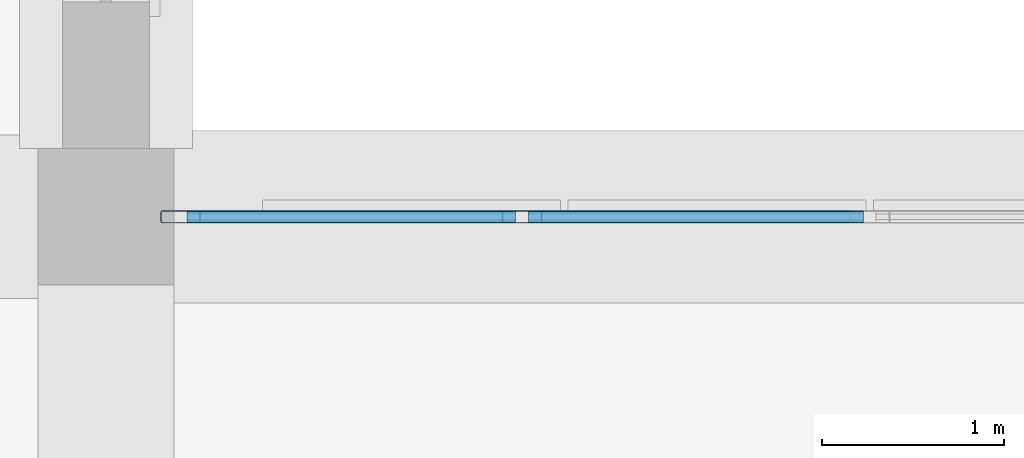
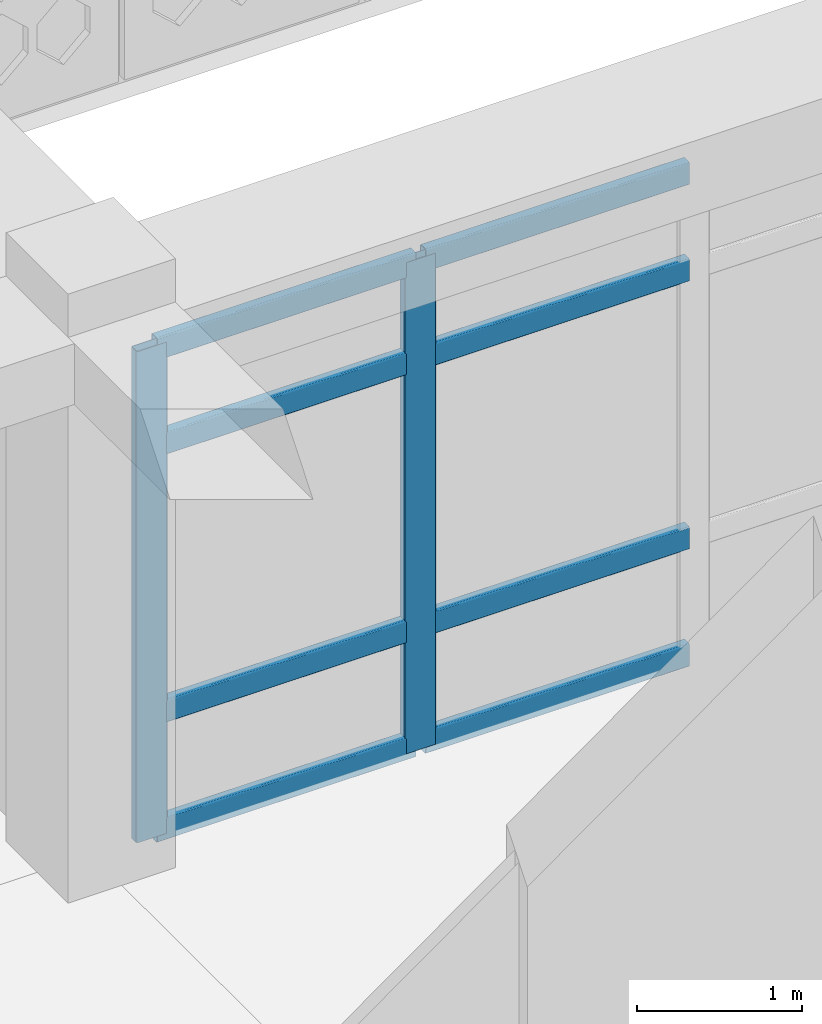
# One storey, part 20 of 111: 10 members, 1 element without a shape of its own.
"""IFC4 building model written with IfcOpenShell, lengths in metres."""

from ifc_helpers import new_model, si_unit, derived_unit, direction, frame, origin, origin_2d, place, context, subcontext, project, spatial, hollow_rectangle, extrude, material, material_profile, profile_set, type_object, element, aggregate, save


model = new_model("IFC4")

# Units and contexts
model_context = context("Model", 3, precision=1e-05, world=origin(), true_north=direction((0.0, 1.0)))
body_context = subcontext(model_context, "Body", "Model", "MODEL_VIEW")
ifc_project = project(units=[si_unit("LENGTHUNIT", "METRE"), si_unit("AREAUNIT", "SQUARE_METRE"), si_unit("VOLUMEUNIT", "CUBIC_METRE"), si_unit("PLANEANGLEUNIT", "RADIAN"), si_unit("MASSUNIT", "GRAM", prefix="KILO"), derived_unit("THERMALTRANSMITTANCEUNIT", [(si_unit("POWERUNIT", "WATT"), 1), (si_unit("LENGTHUNIT", "METRE"), -2), (si_unit("THERMODYNAMICTEMPERATUREUNIT", "KELVIN"), -1)])], contexts=[model_context])

# Site, building, storey
site_placement = place(None, origin())
site = spatial("IfcSite", under=ifc_project, at=site_placement, CompositionType="ELEMENT")
building_placement = place(site_placement, origin())
building = spatial("IfcBuilding", under=site, at=building_placement, Name="Veybourne Emporium", CompositionType="ELEMENT")
storey_placement = place(building_placement, frame((0.0, 0.0, 9.89990234375)))
storey = spatial("IfcBuildingStorey", under=building, at=storey_placement, Name="L02", CompositionType="ELEMENT", Elevation=9.89990234375)

# Curtain wall, members
ifc_material = material(Name="Patinated Architectural Bronze", Category="bronze")
curtain_wall_type = type_object("IfcCurtainWallType", Name="CWSystem_CWS-20", PredefinedType="NOTDEFINED", material=ifc_material)
curtain_wall_placement = place(storey_placement, origin())
curtain_wall = element("IfcCurtainWall", 1, at=curtain_wall_placement, inside=storey, type_object=curtain_wall_type, Name="L02 bronze glazed curtain wall CWS-20 (048)", PredefinedType="NOTDEFINED")
ifc_material_profile_1 = material_profile(ifc_material, hollow_rectangle(XDim=0.070068359375, YDim=0.219970703125, WallThickness=0.0048828125, InnerFilletRadius=0.007568359375, OuterFilletRadius=0.012451171875, at=origin_2d()), Name="CWM 70x220x5")
ifc_profile_set_1 = profile_set([ifc_material_profile_1], Name="Patinated Architectural Bronze")
member_type_1 = type_object("IfcMemberType", Name="CWMullion_CW-M4", PredefinedType="MULLION", material=ifc_profile_set_1)
member_1_placement = place(storey_placement, frame((92.81005859375, 28.800048828125, 0.0), z_axis=(0.0, 0.0, 1.0), x_axis=(0.0, 1.0, 0.0)))
member_1 = element("IfcMember", 2, at=member_1_placement, type_object=member_type_1, Name="CWS-20 mullion 1", PredefinedType="MULLION", context=body_context, shape_type="SweptSolid", body=[
    extrude(hollow_rectangle(XDim=0.070068359375, YDim=0.219970703125, WallThickness=0.0048828125, InnerFilletRadius=0.007568359375, OuterFilletRadius=0.012451171875, at=origin_2d()), origin(), (0.0, 0.0, 1.0), 3.630126953125),
])
member_2_placement = place(storey_placement, frame((94.6875, 28.800048828125, 0.0), z_axis=(0.0, 0.0, 1.0), x_axis=(0.0, 1.0, 0.0)))
member_2 = element("IfcMember", 3, at=member_2_placement, type_object=member_type_1, Name="CWS-20 mullion 2", PredefinedType="MULLION", context=body_context, shape_type="SweptSolid", body=[
    extrude(hollow_rectangle(XDim=0.070068359375, YDim=0.219970703125, WallThickness=0.0048828125, InnerFilletRadius=0.007568359375, OuterFilletRadius=0.012451171875, at=origin_2d()), origin(), (0.0, 0.0, 1.0), 3.630126953125),
])
ifc_material_profile_2 = material_profile(ifc_material, hollow_rectangle(XDim=0.070068359375, YDim=0.169921875, WallThickness=0.0048828125, InnerFilletRadius=0.007568359375, OuterFilletRadius=0.012451171875, at=origin_2d()), Name="CWT 70x170x5")
ifc_profile_set_2 = profile_set([ifc_material_profile_2], Name="Patinated Architectural Bronze")
member_type_2 = type_object("IfcMemberType", Name="CWTransom_CW-T4", PredefinedType="NOTDEFINED", material=ifc_profile_set_2)
member_3_placement = place(storey_placement, frame((92.844970703125, 28.800048828125, 0.03515625), z_axis=(1.0, 0.0, 0.0), x_axis=(0.0, 1.0, 0.0)))
member_3 = element("IfcMember", 4, at=member_3_placement, type_object=member_type_2, Name="CWS-20 transom 1.1", ObjectType="TRANSOM", PredefinedType="USERDEFINED", context=body_context, shape_type="SweptSolid", body=[
    extrude(hollow_rectangle(XDim=0.070068359375, YDim=0.169921875, WallThickness=0.0048828125, InnerFilletRadius=0.007568359375, OuterFilletRadius=0.012451171875, at=origin_2d()), origin(), (0.0, 0.0, 1.0), 1.8076171875),
])
member_4_placement = place(storey_placement, frame((92.844970703125, 28.800048828125, 0.900146484375), z_axis=(1.0, 0.0, 0.0), x_axis=(0.0, 1.0, 0.0)))
member_4 = element("IfcMember", 5, at=member_4_placement, type_object=member_type_2, Name="CWS-20 transom 1.2", ObjectType="TRANSOM", PredefinedType="USERDEFINED", context=body_context, shape_type="SweptSolid", body=[
    extrude(hollow_rectangle(XDim=0.070068359375, YDim=0.169921875, WallThickness=0.0048828125, InnerFilletRadius=0.007568359375, OuterFilletRadius=0.012451171875, at=origin_2d()), origin(), (0.0, 0.0, 1.0), 1.8076171875),
])
member_5_placement = place(storey_placement, frame((92.844970703125, 28.800048828125, 2.880126953125), z_axis=(1.0, 0.0, 0.0), x_axis=(0.0, 1.0, 0.0)))
member_5 = element("IfcMember", 6, at=member_5_placement, type_object=member_type_2, Name="CWS-20 transom 1.3", ObjectType="TRANSOM", PredefinedType="USERDEFINED", context=body_context, shape_type="SweptSolid", body=[
    extrude(hollow_rectangle(XDim=0.070068359375, YDim=0.169921875, WallThickness=0.0048828125, InnerFilletRadius=0.007568359375, OuterFilletRadius=0.012451171875, at=origin_2d()), origin(), (0.0, 0.0, 1.0), 1.8076171875),
])
member_6_placement = place(storey_placement, frame((92.844970703125, 28.800048828125, 3.59521484375), z_axis=(1.0, 0.0, 0.0), x_axis=(0.0, 1.0, 0.0)))
member_6 = element("IfcMember", 7, at=member_6_placement, type_object=member_type_2, Name="CWS-20 transom 1.4", ObjectType="TRANSOM", PredefinedType="USERDEFINED", context=body_context, shape_type="SweptSolid", body=[
    extrude(hollow_rectangle(XDim=0.070068359375, YDim=0.169921875, WallThickness=0.0048828125, InnerFilletRadius=0.007568359375, OuterFilletRadius=0.012451171875, at=origin_2d()), origin(), (0.0, 0.0, 1.0), 1.8076171875),
])
member_7_placement = place(storey_placement, frame((94.722412109375, 28.800048828125, 0.03515625), z_axis=(1.0, 0.0, 0.0), x_axis=(0.0, 1.0, 0.0)))
member_7 = element("IfcMember", 8, at=member_7_placement, type_object=member_type_2, Name="CWS-20 transom 2.1", ObjectType="TRANSOM", PredefinedType="USERDEFINED", context=body_context, shape_type="SweptSolid", body=[
    extrude(hollow_rectangle(XDim=0.070068359375, YDim=0.169921875, WallThickness=0.0048828125, InnerFilletRadius=0.007568359375, OuterFilletRadius=0.012451171875, at=origin_2d()), origin(), (0.0, 0.0, 1.0), 1.842529296875),
])
member_8_placement = place(storey_placement, frame((94.722412109375, 28.800048828125, 0.900146484375), z_axis=(1.0, 0.0, 0.0), x_axis=(0.0, 1.0, 0.0)))
member_8 = element("IfcMember", 9, at=member_8_placement, type_object=member_type_2, Name="CWS-20 transom 2.2", ObjectType="TRANSOM", PredefinedType="USERDEFINED", context=body_context, shape_type="SweptSolid", body=[
    extrude(hollow_rectangle(XDim=0.070068359375, YDim=0.169921875, WallThickness=0.0048828125, InnerFilletRadius=0.007568359375, OuterFilletRadius=0.012451171875, at=origin_2d()), origin(), (0.0, 0.0, 1.0), 1.842529296875),
])
member_9_placement = place(storey_placement, frame((94.722412109375, 28.800048828125, 2.880126953125), z_axis=(1.0, 0.0, 0.0), x_axis=(0.0, 1.0, 0.0)))
member_9 = element("IfcMember", 10, at=member_9_placement, type_object=member_type_2, Name="CWS-20 transom 2.3", ObjectType="TRANSOM", PredefinedType="USERDEFINED", context=body_context, shape_type="SweptSolid", body=[
    extrude(hollow_rectangle(XDim=0.070068359375, YDim=0.169921875, WallThickness=0.0048828125, InnerFilletRadius=0.007568359375, OuterFilletRadius=0.012451171875, at=origin_2d()), origin(), (0.0, 0.0, 1.0), 1.842529296875),
])
member_10_placement = place(storey_placement, frame((94.722412109375, 28.800048828125, 3.59521484375), z_axis=(1.0, 0.0, 0.0), x_axis=(0.0, 1.0, 0.0)))
member_10 = element("IfcMember", 11, at=member_10_placement, type_object=member_type_2, Name="CWS-20 transom 2.4", ObjectType="TRANSOM", PredefinedType="USERDEFINED", context=body_context, shape_type="SweptSolid", body=[
    extrude(hollow_rectangle(XDim=0.070068359375, YDim=0.169921875, WallThickness=0.0048828125, InnerFilletRadius=0.007568359375, OuterFilletRadius=0.012451171875, at=origin_2d()), origin(), (0.0, 0.0, 1.0), 1.842529296875),
])
aggregate(curtain_wall, [member_1, member_2, member_3, member_4, member_5, member_6, member_7, member_8, member_9, member_10])

save(model, "model.ifc")
